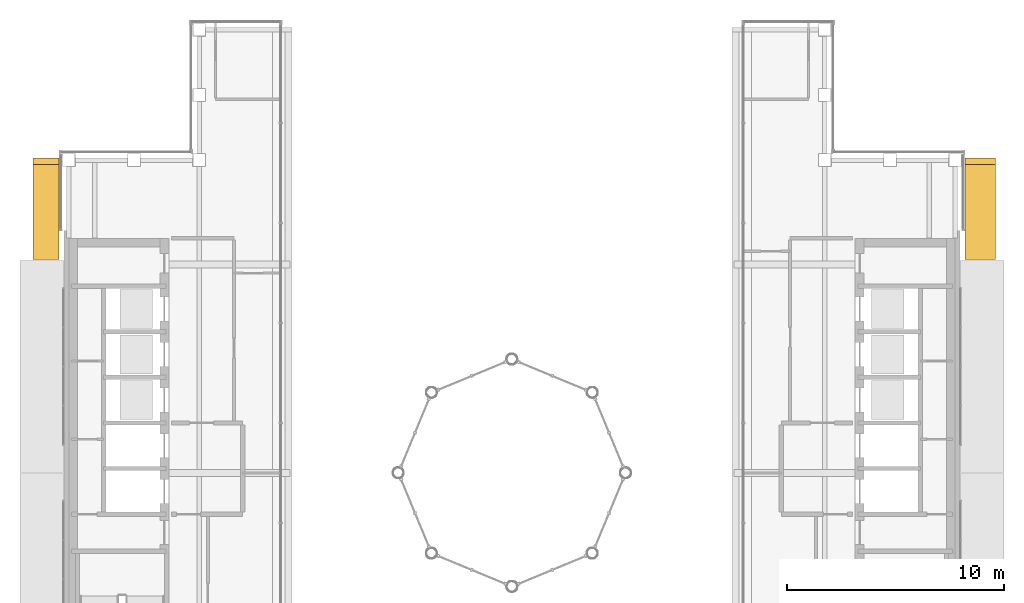
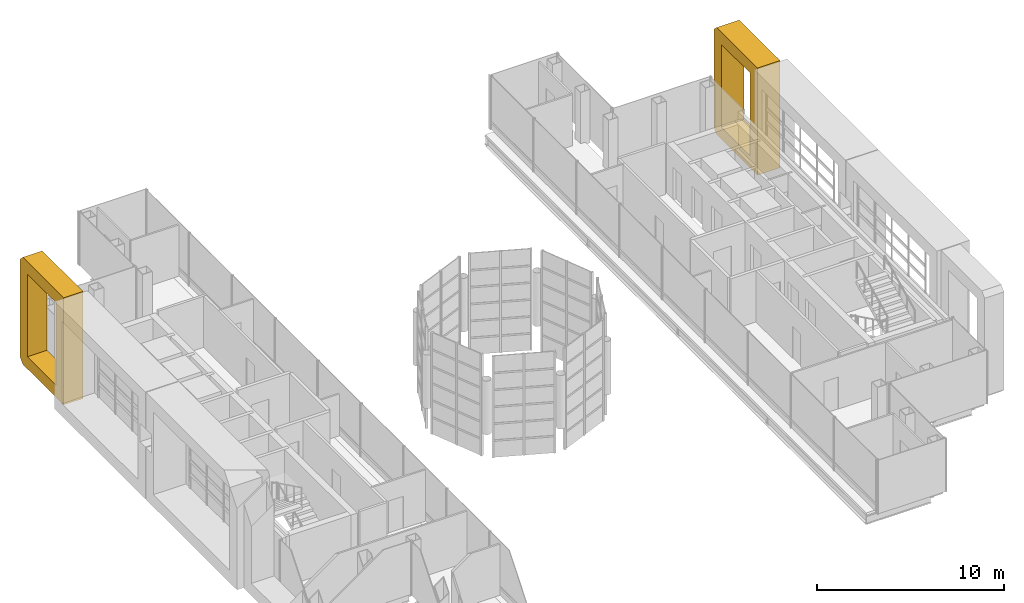
# One storey, part 20 of 21: 2 coverings.
"""IFC4 building model written with IfcOpenShell, lengths in metres."""

from ifc_helpers import new_model, si_unit, direction, frame, origin, place, context, subcontext, project, spatial, polyline, outline, extrude, material, type_object, element, save


model = new_model("IFC4")

# Units and contexts
model_context = context("Model", 3, precision=1e-05, world=origin(), true_north=direction((0.0, 1.0)))
body_context = subcontext(model_context, "Body", "Model", "MODEL_VIEW")
ifc_project = project(units=[si_unit("LENGTHUNIT", "METRE"), si_unit("AREAUNIT", "SQUARE_METRE"), si_unit("VOLUMEUNIT", "CUBIC_METRE"), si_unit("PLANEANGLEUNIT", "RADIAN"), si_unit("MASSUNIT", "GRAM", prefix="KILO")], contexts=[model_context])

# Site, building, storey
site_placement = place(None, origin())
site = spatial("IfcSite", under=ifc_project, at=site_placement, CompositionType="ELEMENT")
building_placement = place(site_placement, origin())
building = spatial("IfcBuilding", under=site, at=building_placement, Name="Cobrizo Arcos Hotel Tower", CompositionType="ELEMENT")
storey_placement = place(building_placement, frame((0.0, 0.0, 283.0)))
storey = spatial("IfcBuildingStorey", under=building, at=storey_placement, Name="L75", CompositionType="ELEMENT", Elevation=283.0)

# Coverings
ifc_material = material(Name="Aluminium 6063-T6 anodised bronze", Category="aluminium")
covering_type_1 = type_object("IfcCoveringType", Name="FIN-F 1200", PredefinedType="CLADDING", material=ifc_material)
covering_1_placement = place(storey_placement, frame((-20.85009765625, 14.5, 0.0), z_axis=(-1.0, 0.0, 0.0), x_axis=(0.0, -1.0, 0.0)))
element("IfcCovering", 1, at=covering_1_placement, inside=storey, type_object=covering_type_1, Name="Fin frame 447", PredefinedType="CLADDING", context=body_context, shape_type="SweptSolid", body=[
    extrude(outline(polyline([(0.0, 0.300048828125), (0.300048828125, 0.0), (4.675048828125, 0.0), (4.675048828125, 7.0), (0.300048828125, 7.0), (0.0, 6.699951171875), (0.0, 0.300048828125)]), holes=[polyline([(3.875, 0.800048828125), (0.800048828125, 0.800048828125), (0.800048828125, 6.199951171875), (3.875, 6.199951171875), (3.875, 0.800048828125)])]), origin(), (0.0, 0.0, 1.0), 1.199951171875),
])
covering_type_2 = type_object("IfcCoveringType", Name="FIN-F 1400", PredefinedType="CLADDING", material=ifc_material)
covering_2_placement = place(storey_placement, frame((20.85009765625, 9.824951171875, 0.0), z_axis=(1.0, 0.0, 0.0), x_axis=(0.0, 1.0, 0.0)))
element("IfcCovering", 2, at=covering_2_placement, inside=storey, type_object=covering_type_2, Name="Fin frame 406", PredefinedType="CLADDING", context=body_context, shape_type="SweptSolid", body=[
    extrude(outline(polyline([(0.0, 7.0), (0.0, 0.0), (4.375, 0.0), (4.675048828125, 0.300048828125), (4.675048828125, 6.699951171875), (4.375, 7.0), (0.0, 7.0)]), holes=[polyline([(3.875, 0.800048828125), (0.800048828125, 0.800048828125), (0.800048828125, 6.199951171875), (3.875, 6.199951171875), (3.875, 0.800048828125)])]), origin(), (0.0, 0.0, 1.0), 1.39990234375),
])

save(model, "model.ifc")
